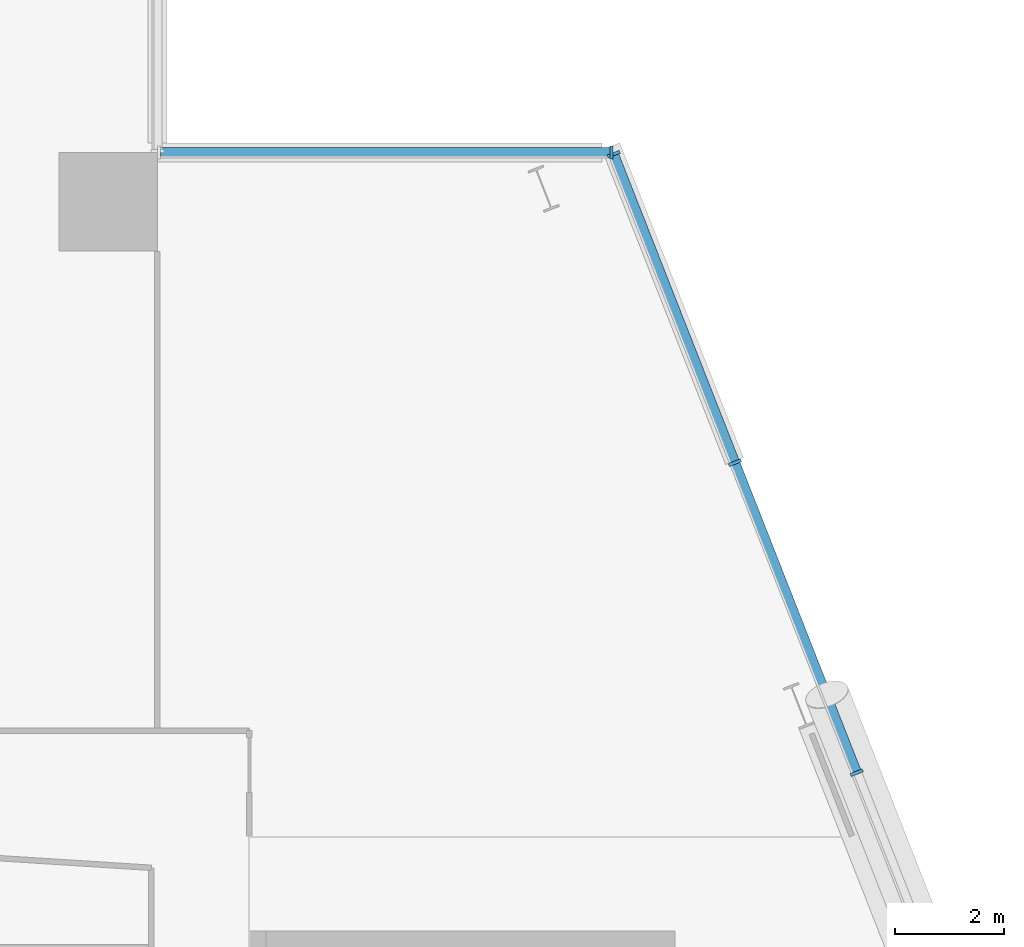
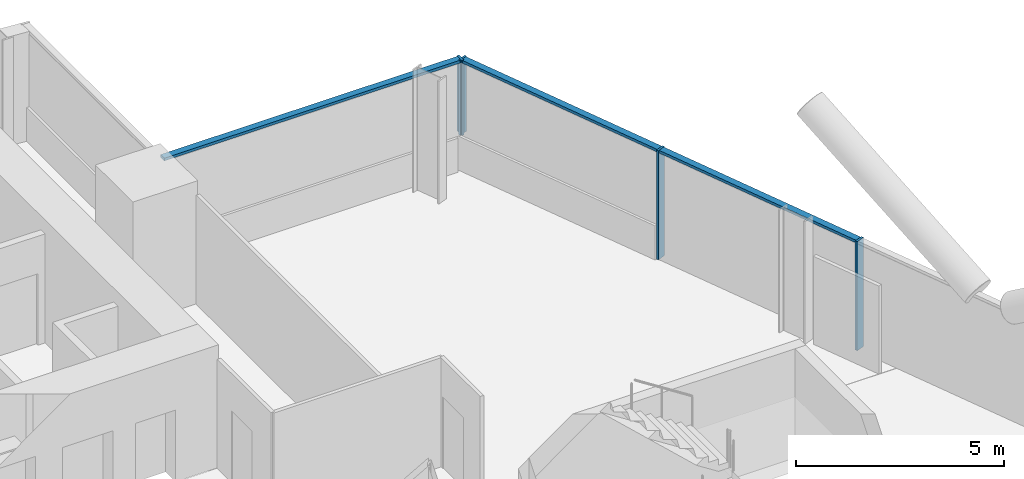
# One storey, part 11 of 27: 7 members, 2 elements without a shape of their own.
"""IFC4 building model written with IfcOpenShell, lengths in metres."""

from ifc_helpers import new_model, si_unit, direction, frame, origin, origin_2d, place, context, subcontext, project, spatial, rectangle, extrude, material, material_profile, profile_set, type_object, element, aggregate, save


model = new_model("IFC4")

# Units and contexts
model_context = context("Model", 3, precision=1e-05, world=origin(), true_north=direction((0.0, 1.0)))
body_context = subcontext(model_context, "Body", "Model", "MODEL_VIEW")
ifc_project = project(units=[si_unit("LENGTHUNIT", "METRE"), si_unit("AREAUNIT", "SQUARE_METRE"), si_unit("VOLUMEUNIT", "CUBIC_METRE"), si_unit("PLANEANGLEUNIT", "RADIAN"), si_unit("MASSUNIT", "GRAM", prefix="KILO")], contexts=[model_context])

# Site, building, storey
site_placement = place(None, origin())
site = spatial("IfcSite", under=ifc_project, at=site_placement, CompositionType="ELEMENT")
building_placement = place(site_placement, origin())
building = spatial("IfcBuilding", under=site, at=building_placement, Name="Wharfspan Tower", CompositionType="ELEMENT")
storey_placement = place(building_placement, frame((0.0, 0.0, 118.300049)))
storey = spatial("IfcBuildingStorey", under=building, at=storey_placement, Name="L27", CompositionType="ELEMENT", Elevation=118.300049)

# Curtain wall, members
ifc_material = material(Name="Aluminium 6063-T6", Category="aluminium")
curtain_wall_type = type_object("IfcCurtainWallType", Name="CURTAIN WALL PROW AND END", PredefinedType="NOTDEFINED", material=ifc_material)
curtain_wall_1_placement = place(storey_placement, origin())
curtain_wall_1 = element("IfcCurtainWall", 1, at=curtain_wall_1_placement, inside=storey, type_object=curtain_wall_type, Name="Curtain wall E", PredefinedType="NOTDEFINED")
ifc_material_profile_1 = material_profile(ifc_material, rectangle(XDim=0.23999, YDim=0.060059, at=origin_2d()))
ifc_profile_set_1 = profile_set([ifc_material_profile_1], Name="Aluminium 6063-T6")
member_type_1 = type_object("IfcMemberType", Name="MULLION PROW AND END 60x240", PredefinedType="MULLION", material=ifc_profile_set_1)
member_1_placement = place(storey_placement, frame((80.827148, 30.628662, 0.0), z_axis=(0.0, 0.0, 1.0), x_axis=(-0.930702, -0.365778, 0.0)))
member_1 = element("IfcMember", 2, at=member_1_placement, type_object=member_type_1, Name="Curtain wall E mullion 6", PredefinedType="MULLION", context=body_context, shape_type="SweptSolid", body=[
    extrude(rectangle(XDim=0.23999, YDim=0.060059, at=origin_2d()), origin(), (0.0, 0.0, 1.0), 3.199951),
])
member_2_placement = place(storey_placement, frame((78.592529, 36.314209, 0.0), z_axis=(0.0, 0.0, 1.0), x_axis=(-0.930702, -0.365778, 0.0)))
member_2 = element("IfcMember", 3, at=member_2_placement, type_object=member_type_1, Name="Curtain wall E mullion 7", PredefinedType="MULLION", context=body_context, shape_type="SweptSolid", body=[
    extrude(rectangle(XDim=0.23999, YDim=0.060059, at=origin_2d()), origin(), (0.0, 0.0, 1.0), 3.199951),
])
member_3_placement = place(storey_placement, frame((76.369141, 41.972168, 1.0), z_axis=(0.0, 0.0, 1.0), x_axis=(-0.930702, -0.365778, 0.0)))
member_3 = element("IfcMember", 4, at=member_3_placement, type_object=member_type_1, Name="Curtain wall E mullion 8", PredefinedType="MULLION", context=body_context, shape_type="SweptSolid", body=[
    extrude(rectangle(XDim=0.23999, YDim=0.060059, at=origin_2d()), origin(), (0.0, 0.0, 1.0), 2.199951),
])

# Curtain wall, member
curtain_wall_2_placement = place(storey_placement, origin())
curtain_wall_2 = element("IfcCurtainWall", 5, at=curtain_wall_2_placement, inside=storey, type_object=curtain_wall_type, Name="Curtain wall NRE-H", PredefinedType="NOTDEFINED")
member_4_placement = place(storey_placement, frame((76.328125, 42.0, 1.0), z_axis=(0.0, 0.0, 1.0), x_axis=(0.0, -1.0, 0.0)))
member_4 = element("IfcMember", 6, at=member_4_placement, type_object=member_type_1, Name="Curtain wall NRE-H mullion 1", PredefinedType="MULLION", context=body_context, shape_type="SweptSolid", body=[
    extrude(rectangle(XDim=0.23999, YDim=0.060059, at=origin_2d()), origin(), (0.0, 0.0, 1.0), 2.199951),
])

# Member
ifc_material_profile_2 = material_profile(ifc_material, rectangle(XDim=0.179932, YDim=0.080078, at=origin_2d()))
ifc_profile_set_2 = profile_set([ifc_material_profile_2], Name="Aluminium 6063-T6")
member_type_2 = type_object("IfcMemberType", Name="TRANSOM PROW AND END 80x180", PredefinedType="USERDEFINED", material=ifc_profile_set_2)
member_5_placement = place(storey_placement, frame((80.816162, 30.656494, 3.159912), z_axis=(-0.365782, 0.9307, 0.0), x_axis=(-0.9307, -0.365782, 0.0)))
member_5 = element("IfcMember", 7, at=member_5_placement, type_object=member_type_2, Name="Curtain wall E transom 6", ObjectType="TRANSOM", PredefinedType="USERDEFINED", context=body_context, shape_type="SweptSolid", body=[
    extrude(rectangle(XDim=0.179932, YDim=0.080078, at=origin_2d()), origin(), (0.0, 0.0, 1.0), 6.049072),
])

member_6_placement = place(storey_placement, frame((78.581787, 36.342285, 3.159912), z_axis=(-0.365789, 0.930698, 0.0), x_axis=(-0.930698, -0.365789, 0.0)))
member_6 = element("IfcMember", 8, at=member_6_placement, type_object=member_type_2, Name="Curtain wall E transom 7", ObjectType="TRANSOM", PredefinedType="USERDEFINED", context=body_context, shape_type="SweptSolid", body=[
    extrude(rectangle(XDim=0.179932, YDim=0.080078, at=origin_2d()), origin(), (0.0, 0.0, 1.0), 6.019043),
])

aggregate(curtain_wall_1, [member_1, member_2, member_3, member_5, member_6])

member_7_placement = place(storey_placement, frame((76.298096, 42.0, 3.159912), z_axis=(-1.0, 0.0, 0.0), x_axis=(0.0, -1.0, 0.0)))
member_7 = element("IfcMember", 9, at=member_7_placement, type_object=member_type_2, Name="Curtain wall NRE-H transom 1", ObjectType="TRANSOM", PredefinedType="USERDEFINED", context=body_context, shape_type="SweptSolid", body=[
    extrude(rectangle(XDim=0.179932, YDim=0.080078, at=origin_2d()), origin(), (0.0, 0.0, 1.0), 8.238037),
])

aggregate(curtain_wall_2, [member_4, member_7])

save(model, "model.ifc")
